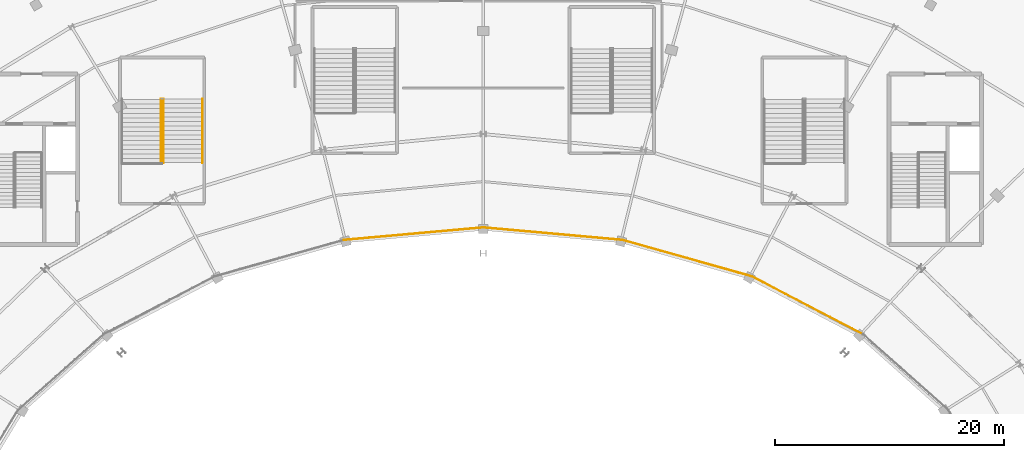
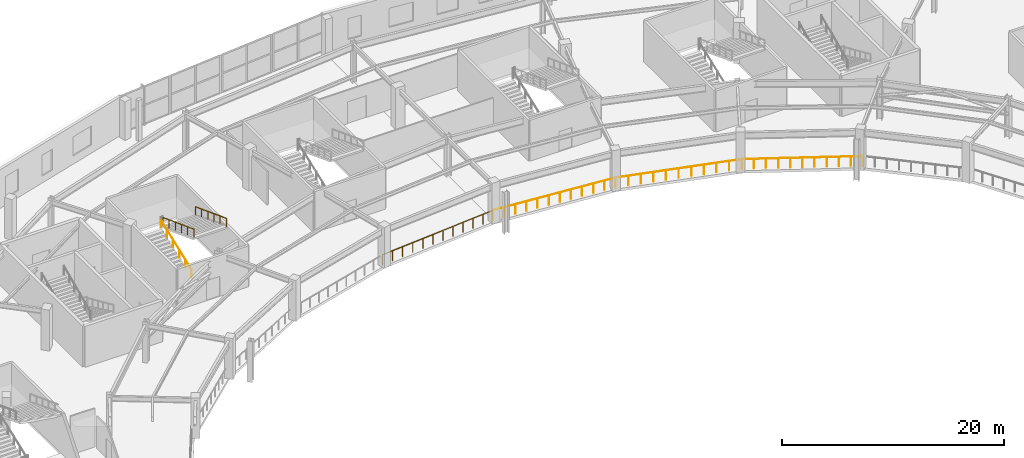
# One storey, part 99 of 107: 7 railings.
"""IFC4 building model written with IfcOpenShell, lengths in metres."""

from ifc_helpers import new_model, si_unit, direction, frame, origin, origin_2d, place, context, subcontext, project, spatial, circle, extrude, material, type_object, element, save


model = new_model("IFC4")

# Units and contexts
model_context = context("Model", 3, precision=1e-05, world=origin(), true_north=direction((0.0, 1.0)))
body_context = subcontext(model_context, "Body", "Model", "MODEL_VIEW")
ifc_project = project(units=[si_unit("LENGTHUNIT", "METRE"), si_unit("AREAUNIT", "SQUARE_METRE"), si_unit("VOLUMEUNIT", "CUBIC_METRE"), si_unit("PLANEANGLEUNIT", "RADIAN"), si_unit("MASSUNIT", "GRAM", prefix="KILO")], contexts=[model_context])

# Site, building, storey
site_placement = place(None, origin())
site = spatial("IfcSite", under=ifc_project, at=site_placement, CompositionType="ELEMENT")
building_placement = place(site_placement, origin())
building = spatial("IfcBuilding", under=site, at=building_placement, Name="Kalgoora Escarpment Arena", CompositionType="ELEMENT")
storey_placement = place(building_placement, frame((0.0, 0.0, 5.39990234375)))
storey = spatial("IfcBuildingStorey", under=building, at=storey_placement, Name="L01", CompositionType="ELEMENT", Elevation=5.39990234375)

# Railings
ifc_material_1 = material(Name="Galvanised & powdercoated tubular steel", Category="steel")
railing_type_1 = type_object("IfcRailingType", Name="RAL-GUARD-1120", PredefinedType="GUARDRAIL", material=ifc_material_1)
railing_1_placement = place(storey_placement, frame((125.528076171875, 86.521484375, 0.0)))
element("IfcRailing", 1, at=railing_1_placement, inside=storey, type_object=railing_type_1, Name="L01 concourse bowl balustrade 04", PredefinedType="GUARDRAIL", context=body_context, shape_type="SweptSolid", body=[
    extrude(circle(Radius=0.02392578125, at=origin_2d()), frame((0.0, 0.0, 1.09619140625), z_axis=(-0.886621438299, 0.462495865007, 0.0), x_axis=(-0.462495865007, -0.886621438299, 0.0)), (0.0, 0.0, 1.0), 10.94384765625),
    extrude(circle(Radius=0.02099609375, at=origin_2d()), origin(), (0.0, 0.0, 1.0), 1.072021484375),
    extrude(circle(Radius=0.02099609375, at=origin_2d()), frame((-0.97021484375, 0.506103515625, 0.0)), (0.0, 0.0, 1.0), 1.072021484375),
    extrude(circle(Radius=0.02099609375, at=origin_2d()), frame((-1.940673828125, 1.01220703125, 0.0)), (0.0, 0.0, 1.0), 1.072021484375),
    extrude(circle(Radius=0.02099609375, at=origin_2d()), frame((-2.910888671875, 1.5185546875, 0.0)), (0.0, 0.0, 1.0), 1.072021484375),
    extrude(circle(Radius=0.02099609375, at=origin_2d()), frame((-3.88134765625, 2.024658203125, 0.0)), (0.0, 0.0, 1.0), 1.072021484375),
    extrude(circle(Radius=0.02099609375, at=origin_2d()), frame((-4.8515625, 2.53076171875, 0.0)), (0.0, 0.0, 1.0), 1.072021484375),
    extrude(circle(Radius=0.02099609375, at=origin_2d()), frame((-5.82177734375, 3.036865234375, 0.0)), (0.0, 0.0, 1.0), 1.072021484375),
    extrude(circle(Radius=0.02099609375, at=origin_2d()), frame((-6.792236328125, 3.54296875, 0.0)), (0.0, 0.0, 1.0), 1.072021484375),
    extrude(circle(Radius=0.02099609375, at=origin_2d()), frame((-7.762451171875, 4.04931640625, 0.0)), (0.0, 0.0, 1.0), 1.072021484375),
    extrude(circle(Radius=0.02099609375, at=origin_2d()), frame((-8.73291015625, 4.555419921875, 0.0)), (0.0, 0.0, 1.0), 1.072021484375),
    extrude(circle(Radius=0.02099609375, at=origin_2d()), frame((-9.703125, 5.0615234375, 0.0)), (0.0, 0.0, 1.0), 1.072021484375),
])
railing_2_placement = place(storey_placement, frame((115.824951171875, 91.5830078125, 0.0)))
element("IfcRailing", 2, at=railing_2_placement, inside=storey, type_object=railing_type_1, Name="L01 concourse bowl balustrade 05", PredefinedType="GUARDRAIL", context=body_context, shape_type="SweptSolid", body=[
    extrude(circle(Radius=0.02392578125, at=origin_2d()), frame((0.0, 0.0, 1.09619140625), z_axis=(-0.962568569832, 0.271038278425, 0.0), x_axis=(-0.271038278425, -0.962568569832, 0.0)), (0.0, 0.0, 1.0), 11.73876953125),
    extrude(circle(Radius=0.02099609375, at=origin_2d()), origin(), (0.0, 0.0, 1.0), 1.072021484375),
    extrude(circle(Radius=0.02099609375, at=origin_2d()), frame((-1.1298828125, 0.318115234375, 0.0)), (0.0, 0.0, 1.0), 1.072021484375),
    extrude(circle(Radius=0.02099609375, at=origin_2d()), frame((-2.259765625, 0.63623046875, 0.0)), (0.0, 0.0, 1.0), 1.072021484375),
    extrude(circle(Radius=0.02099609375, at=origin_2d()), frame((-3.389892578125, 0.95458984375, 0.0)), (0.0, 0.0, 1.0), 1.072021484375),
    extrude(circle(Radius=0.02099609375, at=origin_2d()), frame((-4.519775390625, 1.272705078125, 0.0)), (0.0, 0.0, 1.0), 1.072021484375),
    extrude(circle(Radius=0.02099609375, at=origin_2d()), frame((-5.649658203125, 1.5908203125, 0.0)), (0.0, 0.0, 1.0), 1.072021484375),
    extrude(circle(Radius=0.02099609375, at=origin_2d()), frame((-6.779541015625, 1.908935546875, 0.0)), (0.0, 0.0, 1.0), 1.072021484375),
    extrude(circle(Radius=0.02099609375, at=origin_2d()), frame((-7.909423828125, 2.22705078125, 0.0)), (0.0, 0.0, 1.0), 1.072021484375),
    extrude(circle(Radius=0.02099609375, at=origin_2d()), frame((-9.03955078125, 2.54541015625, 0.0)), (0.0, 0.0, 1.0), 1.072021484375),
    extrude(circle(Radius=0.02099609375, at=origin_2d()), frame((-10.16943359375, 2.863525390625, 0.0)), (0.0, 0.0, 1.0), 1.072021484375),
    extrude(circle(Radius=0.02099609375, at=origin_2d()), frame((-11.29931640625, 3.181640625, 0.0)), (0.0, 0.0, 1.0), 1.072021484375),
])
railing_3_placement = place(storey_placement, frame((104.525634765625, 94.7646484375, 0.0)))
element("IfcRailing", 3, at=railing_3_placement, inside=storey, type_object=railing_type_1, Name="L01 concourse bowl balustrade 06", PredefinedType="GUARDRAIL", context=body_context, shape_type="SweptSolid", body=[
    extrude(circle(Radius=0.02392578125, at=origin_2d()), frame((0.0, 0.0, 1.09619140625), z_axis=(-0.996017346232, 0.089159665801, 0.0), x_axis=(-0.089159665801, -0.996017346232, 0.0)), (0.0, 0.0, 1.0), 12.17431640625),
    extrude(circle(Radius=0.02099609375, at=origin_2d()), origin(), (0.0, 0.0, 1.0), 1.072021484375),
    extrude(circle(Radius=0.02099609375, at=origin_2d()), frame((-1.102294921875, 0.0986328125, 0.0)), (0.0, 0.0, 1.0), 1.072021484375),
    extrude(circle(Radius=0.02099609375, at=origin_2d()), frame((-2.20458984375, 0.197265625, 0.0)), (0.0, 0.0, 1.0), 1.072021484375),
    extrude(circle(Radius=0.02099609375, at=origin_2d()), frame((-3.30712890625, 0.296142578125, 0.0)), (0.0, 0.0, 1.0), 1.072021484375),
    extrude(circle(Radius=0.02099609375, at=origin_2d()), frame((-4.409423828125, 0.394775390625, 0.0)), (0.0, 0.0, 1.0), 1.072021484375),
    extrude(circle(Radius=0.02099609375, at=origin_2d()), frame((-5.51171875, 0.493408203125, 0.0)), (0.0, 0.0, 1.0), 1.072021484375),
    extrude(circle(Radius=0.02099609375, at=origin_2d()), frame((-6.614013671875, 0.592041015625, 0.0)), (0.0, 0.0, 1.0), 1.072021484375),
    extrude(circle(Radius=0.02099609375, at=origin_2d()), frame((-7.71630859375, 0.690673828125, 0.0)), (0.0, 0.0, 1.0), 1.072021484375),
    extrude(circle(Radius=0.02099609375, at=origin_2d()), frame((-8.818603515625, 0.789306640625, 0.0)), (0.0, 0.0, 1.0), 1.072021484375),
    extrude(circle(Radius=0.02099609375, at=origin_2d()), frame((-9.921142578125, 0.88818359375, 0.0)), (0.0, 0.0, 1.0), 1.072021484375),
    extrude(circle(Radius=0.02099609375, at=origin_2d()), frame((-11.0234375, 0.98681640625, 0.0)), (0.0, 0.0, 1.0), 1.072021484375),
    extrude(circle(Radius=0.02099609375, at=origin_2d()), frame((-12.125732421875, 1.08544921875, 0.0)), (0.0, 0.0, 1.0), 1.072021484375),
])
railing_4_placement = place(storey_placement, frame((92.39990234375, 95.85009765625, 0.0)))
element("IfcRailing", 4, at=railing_4_placement, inside=storey, type_object=railing_type_1, Name="L01 concourse bowl balustrade 07", PredefinedType="GUARDRAIL", context=body_context, shape_type="SweptSolid", body=[
    extrude(circle(Radius=0.02392578125, at=origin_2d()), frame((0.0, 0.0, 1.09619140625), z_axis=(-0.996017186809, -0.089161446715, 0.0), x_axis=(0.089161446715, -0.996017186809, 0.0)), (0.0, 0.0, 1.0), 12.174072265625),
    extrude(circle(Radius=0.02099609375, at=origin_2d()), origin(), (0.0, 0.0, 1.0), 1.072021484375),
    extrude(circle(Radius=0.02099609375, at=origin_2d()), frame((-1.102294921875, -0.0986328125, 0.0)), (0.0, 0.0, 1.0), 1.072021484375),
    extrude(circle(Radius=0.02099609375, at=origin_2d()), frame((-2.20458984375, -0.197265625, 0.0)), (0.0, 0.0, 1.0), 1.072021484375),
    extrude(circle(Radius=0.02099609375, at=origin_2d()), frame((-3.306884765625, -0.296142578125, 0.0)), (0.0, 0.0, 1.0), 1.072021484375),
    extrude(circle(Radius=0.02099609375, at=origin_2d()), frame((-4.4091796875, -0.394775390625, 0.0)), (0.0, 0.0, 1.0), 1.072021484375),
    extrude(circle(Radius=0.02099609375, at=origin_2d()), frame((-5.511474609375, -0.493408203125, 0.0)), (0.0, 0.0, 1.0), 1.072021484375),
    extrude(circle(Radius=0.02099609375, at=origin_2d()), frame((-6.614013671875, -0.592041015625, 0.0)), (0.0, 0.0, 1.0), 1.072021484375),
    extrude(circle(Radius=0.02099609375, at=origin_2d()), frame((-7.71630859375, -0.690673828125, 0.0)), (0.0, 0.0, 1.0), 1.072021484375),
    extrude(circle(Radius=0.02099609375, at=origin_2d()), frame((-8.818603515625, -0.789306640625, 0.0)), (0.0, 0.0, 1.0), 1.072021484375),
    extrude(circle(Radius=0.02099609375, at=origin_2d()), frame((-9.9208984375, -0.88818359375, 0.0)), (0.0, 0.0, 1.0), 1.072021484375),
    extrude(circle(Radius=0.02099609375, at=origin_2d()), frame((-11.023193359375, -0.98681640625, 0.0)), (0.0, 0.0, 1.0), 1.072021484375),
    extrude(circle(Radius=0.02099609375, at=origin_2d()), frame((-12.12548828125, -1.08544921875, 0.0)), (0.0, 0.0, 1.0), 1.072021484375),
])
ifc_material_2 = material(Name="Brushed stainless steel 316 handrail", Category="steel")
railing_type_2 = type_object("IfcRailingType", Name="RAL-HAND-920", PredefinedType="HANDRAIL", material=ifc_material_2)
railing_5_placement = place(storey_placement, frame((64.284912109375, 101.489990234375, 0.110107421875)))
element("IfcRailing", 5, at=railing_5_placement, inside=storey, type_object=railing_type_2, Name="ST09 L01 pitched stair handrail F1R", PredefinedType="HANDRAIL", context=body_context, shape_type="SweptSolid", body=[
    extrude(circle(Radius=0.02392578125, at=origin_2d()), frame((0.0, 0.0, 0.89599609375), z_axis=(0.0, 0.935492612948, 0.353346248203), x_axis=(-1.0, 0.0, 0.0)), (0.0, 0.0, 1.0), 5.943359375),
    extrude(circle(Radius=0.02099609375, at=origin_2d()), origin(), (0.0, 0.0, 1.0), 0.871826171875),
    extrude(circle(Radius=0.02099609375, at=origin_2d()), frame((0.0, 1.112060546875, 0.419921875)), (0.0, 0.0, 1.0), 0.871826171875),
    extrude(circle(Radius=0.02099609375, at=origin_2d()), frame((0.0, 2.22412109375, 0.840087890625)), (0.0, 0.0, 1.0), 0.871826171875),
    extrude(circle(Radius=0.02099609375, at=origin_2d()), frame((0.0, 3.3359375, 1.260009765625)), (0.0, 0.0, 1.0), 0.871826171875),
    extrude(circle(Radius=0.02099609375, at=origin_2d()), frame((0.0, 4.447998046875, 1.68017578125)), (0.0, 0.0, 1.0), 0.871826171875),
    extrude(circle(Radius=0.02099609375, at=origin_2d()), frame((0.0, 5.56005859375, 2.10009765625)), (0.0, 0.0, 1.0), 0.871826171875),
])
for number, where, name in (
    (6, (64.514892578125, 107.050048828125, 2.360107421875), "ST09 L01 pitched stair handrail F2L"),
    (7, (67.89990234375, 107.050048828125, 2.360107421875), "ST09 L01 pitched stair handrail F2R"),
):
    element("IfcRailing", number, at=place(storey_placement, frame(where)), inside=storey, type_object=railing_type_2, Name=name, PredefinedType="HANDRAIL", context=body_context, shape_type="SweptSolid", body=[
        extrude(circle(Radius=0.02392578125, at=origin_2d()), frame((0.0, 0.0, 0.89599609375), z_axis=(0.0, -0.935492612948, 0.353346248203), x_axis=(1.0, 0.0, 0.0)), (0.0, 0.0, 1.0), 5.943359375),
        extrude(circle(Radius=0.02099609375, at=origin_2d()), origin(), (0.0, 0.0, 1.0), 0.871826171875),
        extrude(circle(Radius=0.02099609375, at=origin_2d()), frame((0.0, -1.112060546875, 0.419921875)), (0.0, 0.0, 1.0), 0.871826171875),
        extrude(circle(Radius=0.02099609375, at=origin_2d()), frame((0.0, -2.22412109375, 0.840087890625)), (0.0, 0.0, 1.0), 0.871826171875),
        extrude(circle(Radius=0.02099609375, at=origin_2d()), frame((0.0, -3.3359375, 1.260009765625)), (0.0, 0.0, 1.0), 0.871826171875),
        extrude(circle(Radius=0.02099609375, at=origin_2d()), frame((0.0, -4.447998046875, 1.68017578125)), (0.0, 0.0, 1.0), 0.871826171875),
        extrude(circle(Radius=0.02099609375, at=origin_2d()), frame((0.0, -5.56005859375, 2.10009765625)), (0.0, 0.0, 1.0), 0.871826171875),
    ])

save(model, "model.ifc")
